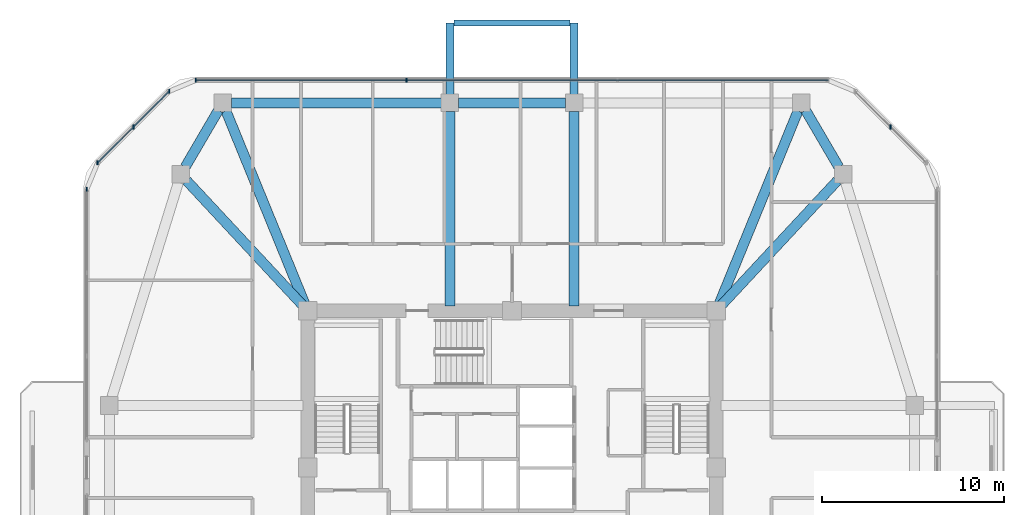
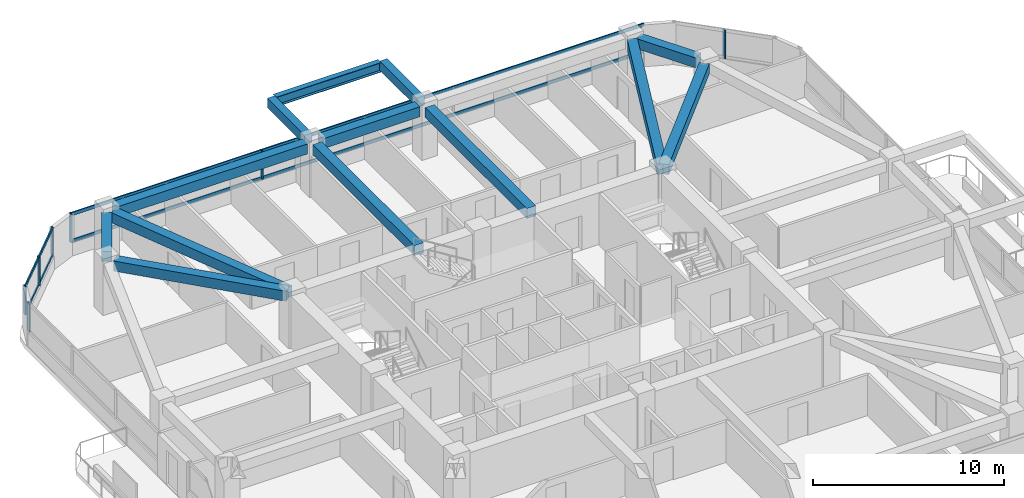
# One storey, part 5 of 13: 13 beams, 11 members, 4 elements without a shape of their own.
"""IFC4 building model written with IfcOpenShell, lengths in metres."""

from ifc_helpers import new_model, si_unit, derived_unit, direction, frame, origin, origin_2d, place, context, subcontext, project, spatial, rectangle, i_section, extrude, material, material_profile, profile_set, type_object, element, aggregate, save


model = new_model("IFC4")

# Units and contexts
model_context = context("Model", 3, precision=1e-05, world=origin(), true_north=direction((0.0, 1.0)))
body_context = subcontext(model_context, "Body", "Model", "MODEL_VIEW")
ifc_project = project(units=[si_unit("LENGTHUNIT", "METRE"), si_unit("AREAUNIT", "SQUARE_METRE"), si_unit("VOLUMEUNIT", "CUBIC_METRE"), si_unit("PLANEANGLEUNIT", "RADIAN"), si_unit("MASSUNIT", "GRAM", prefix="KILO"), derived_unit("THERMALTRANSMITTANCEUNIT", [(si_unit("POWERUNIT", "WATT"), 1), (si_unit("LENGTHUNIT", "METRE"), -2), (si_unit("THERMODYNAMICTEMPERATUREUNIT", "KELVIN"), -1)])], contexts=[model_context])

# Site, building, storey
site_placement = place(None, origin())
site = spatial("IfcSite", under=ifc_project, at=site_placement, CompositionType="ELEMENT")
building_placement = place(site_placement, origin())
building = spatial("IfcBuilding", under=site, at=building_placement, Name="Koralith Skygarden Medical Center", CompositionType="ELEMENT")
storey_placement = place(building_placement, frame((0.0, 0.0, 156.419921875)))
storey = spatial("IfcBuildingStorey", under=building, at=storey_placement, Name="L40", CompositionType="ELEMENT", Elevation=156.419921875)

# Curtain wall, member
ifc_material_1 = material(Name="Clear Laminated Glass", Category="glass")
curtain_wall_type = type_object("IfcCurtainWallType", Name="CW-4 Zone 3 Waist High-Wind Curtain Wall", PredefinedType="NOTDEFINED", material=ifc_material_1)
curtain_wall_1_placement = place(storey_placement, origin())
curtain_wall_1 = element("IfcCurtainWall", 1, at=curtain_wall_1_placement, inside=storey, type_object=curtain_wall_type, Name="Curtain Wall CW-L40-NE", PredefinedType="NOTDEFINED")
ifc_material_2 = material(Name="Aluminium 6063-T6", Category="aluminium")
ifc_material_profile_1 = material_profile(ifc_material_2, rectangle(XDim=0.076904296875, YDim=0.22998046875, at=origin_2d()), Name="MUL77X230")
ifc_profile_set_1 = profile_set([ifc_material_profile_1], Name="Aluminium 6063-T6")
member_type_1 = type_object("IfcMemberType", Name="CW-4 Extruded Mullion 77x230", PredefinedType="MULLION", material=ifc_profile_set_1)
member_1_placement = place(storey_placement, frame((57.741943359375, 44.556884765625, 0.85009765625), z_axis=(0.0, 0.0, 1.0), x_axis=(1.0, 0.0, 0.0)))
member_1 = element("IfcMember", 2, at=member_1_placement, type_object=member_type_1, Name="CW-L40-NE Mullion 2", PredefinedType="MULLION", context=body_context, shape_type="SweptSolid", body=[
    extrude(rectangle(XDim=0.076904296875, YDim=0.22998046875, at=origin_2d()), origin(), (0.0, 0.0, 1.0), 1.820068359375),
])
aggregate(curtain_wall_1, [member_1])

# Curtain wall, members
curtain_wall_2_placement = place(storey_placement, origin())
curtain_wall_2 = element("IfcCurtainWall", 3, at=curtain_wall_2_placement, inside=storey, type_object=curtain_wall_type, Name="Curtain Wall CW-L40-N", PredefinedType="NOTDEFINED")
member_2_placement = place(storey_placement, frame((31.22412109375, 47.1201171875, 0.85009765625), z_axis=(0.0, 0.0, 1.0), x_axis=(1.0, 0.0, 0.0)))
member_2 = element("IfcMember", 4, at=member_2_placement, type_object=member_type_1, Name="CW-L40-N Mullion 3", PredefinedType="MULLION", context=body_context, shape_type="SweptSolid", body=[
    extrude(rectangle(XDim=0.076904296875, YDim=0.22998046875, at=origin_2d()), origin(), (0.0, 0.0, 1.0), 1.820068359375),
])
member_3_placement = place(storey_placement, frame((19.6708984375, 47.1201171875, 0.85009765625), z_axis=(0.0, 0.0, 1.0), x_axis=(1.0, 0.0, 0.0)))
member_3 = element("IfcMember", 5, at=member_3_placement, type_object=member_type_1, Name="CW-L40-N Mullion 4", PredefinedType="MULLION", context=body_context, shape_type="SweptSolid", body=[
    extrude(rectangle(XDim=0.076904296875, YDim=0.22998046875, at=origin_2d()), origin(), (0.0, 0.0, 1.0), 1.820068359375),
])

curtain_wall_3_placement = place(storey_placement, origin())
curtain_wall_3 = element("IfcCurtainWall", 6, at=curtain_wall_3_placement, inside=storey, type_object=curtain_wall_type, Name="Curtain Wall CW-L40-NW", PredefinedType="NOTDEFINED")
member_4_placement = place(storey_placement, frame((18.219970703125, 46.51904296875, 0.85009765625), z_axis=(0.0, 0.0, 1.0), x_axis=(1.0, 0.0, 0.0)))
member_4 = element("IfcMember", 7, at=member_4_placement, type_object=member_type_1, Name="CW-L40-NW Mullion 1", PredefinedType="MULLION", context=body_context, shape_type="SweptSolid", body=[
    extrude(rectangle(XDim=0.076904296875, YDim=0.22998046875, at=origin_2d()), origin(), (0.0, 0.0, 1.0), 1.820068359375),
])
member_5_placement = place(storey_placement, frame((16.258056640625, 44.556884765625, 0.85009765625), z_axis=(0.0, 0.0, 1.0), x_axis=(1.0, 0.0, 0.0)))
member_5 = element("IfcMember", 8, at=member_5_placement, type_object=member_type_1, Name="CW-L40-NW Mullion 2", PredefinedType="MULLION", context=body_context, shape_type="SweptSolid", body=[
    extrude(rectangle(XDim=0.076904296875, YDim=0.22998046875, at=origin_2d()), origin(), (0.0, 0.0, 1.0), 1.820068359375),
])
member_6_placement = place(storey_placement, frame((14.297119140625, 42.595947265625, 0.85009765625), z_axis=(0.0, 0.0, 1.0), x_axis=(1.0, 0.0, 0.0)))
member_6 = element("IfcMember", 9, at=member_6_placement, type_object=member_type_1, Name="CW-L40-NW Mullion 3", PredefinedType="MULLION", context=body_context, shape_type="SweptSolid", body=[
    extrude(rectangle(XDim=0.076904296875, YDim=0.22998046875, at=origin_2d()), origin(), (0.0, 0.0, 1.0), 1.820068359375),
])

# Curtain wall, member
curtain_wall_4_placement = place(storey_placement, origin())
curtain_wall_4 = element("IfcCurtainWall", 10, at=curtain_wall_4_placement, inside=storey, type_object=curtain_wall_type, Name="Curtain Wall CW-L40-W-L", PredefinedType="NOTDEFINED")
member_7_placement = place(storey_placement, frame((13.696044921875, 41.14501953125, 0.85009765625), z_axis=(0.0, 0.0, 1.0), x_axis=(1.0, 0.0, 0.0)))
member_7 = element("IfcMember", 11, at=member_7_placement, type_object=member_type_1, Name="CW-L40-W-L Mullion 1", PredefinedType="MULLION", context=body_context, shape_type="SweptSolid", body=[
    extrude(rectangle(XDim=0.076904296875, YDim=0.22998046875, at=origin_2d()), origin(), (0.0, 0.0, 1.0), 1.820068359375),
])
aggregate(curtain_wall_4, [member_7])

# Member
ifc_material_profile_2 = material_profile(ifc_material_2, rectangle(XDim=0.072021484375, YDim=0.20703125, at=origin_2d()), Name="TRN72X207")
ifc_profile_set_2 = profile_set([ifc_material_profile_2], Name="Aluminium 6063-T6")
member_type_2 = type_object("IfcMemberType", Name="CW-4 Thermal Transom 72x207", PredefinedType="USERDEFINED", material=ifc_profile_set_2)
member_8_placement = place(storey_placement, frame((54.3291015625, 47.1201171875, 0.900146484375), z_axis=(-1.0, 0.0, 0.0), x_axis=(0.0, -1.0, 0.0)))
member_8 = element("IfcMember", 12, at=member_8_placement, type_object=member_type_2, Name="CW-L40-N Transom 1", ObjectType="TRANSOM", PredefinedType="USERDEFINED", context=body_context, shape_type="SweptSolid", body=[
    extrude(rectangle(XDim=0.072021484375, YDim=0.20703125, at=origin_2d()), origin(), (0.0, 0.0, 1.0), 34.658203125),
])

member_9_placement = place(storey_placement, frame((54.3291015625, 47.1201171875, 2.6201171875), z_axis=(-1.0, 0.0, 0.0), x_axis=(0.0, -1.0, 0.0)))
member_9 = element("IfcMember", 13, at=member_9_placement, type_object=member_type_2, Name="CW-L40-N Transom 2", ObjectType="TRANSOM", PredefinedType="USERDEFINED", context=body_context, shape_type="SweptSolid", body=[
    extrude(rectangle(XDim=0.072021484375, YDim=0.20703125, at=origin_2d()), origin(), (0.0, 0.0, 1.0), 34.658203125),
])

aggregate(curtain_wall_2, [member_2, member_3, member_8, member_9])

member_10_placement = place(storey_placement, frame((18.219970703125, 46.51904296875, 0.900146484375), z_axis=(-0.707084777957, -0.707128783731, 0.0), x_axis=(0.707128783731, -0.707084777957, 0.0)))
member_10 = element("IfcMember", 14, at=member_10_placement, type_object=member_type_2, Name="CW-L40-NW Transom 1", ObjectType="TRANSOM", PredefinedType="USERDEFINED", context=body_context, shape_type="SweptSolid", body=[
    extrude(rectangle(XDim=0.072021484375, YDim=0.20703125, at=origin_2d()), origin(), (0.0, 0.0, 1.0), 5.5478515625),
])

member_11_placement = place(storey_placement, frame((18.219970703125, 46.51904296875, 2.6201171875), z_axis=(-0.707084777957, -0.707128783731, 0.0), x_axis=(0.707128783731, -0.707084777957, 0.0)))
member_11 = element("IfcMember", 15, at=member_11_placement, type_object=member_type_2, Name="CW-L40-NW Transom 2", ObjectType="TRANSOM", PredefinedType="USERDEFINED", context=body_context, shape_type="SweptSolid", body=[
    extrude(rectangle(XDim=0.072021484375, YDim=0.20703125, at=origin_2d()), origin(), (0.0, 0.0, 1.0), 5.5478515625),
])

aggregate(curtain_wall_3, [member_4, member_5, member_6, member_10, member_11])

# Beams
ifc_material_3 = material(Name="Steel ASTM A992 Grade 50", Category="steel")
ifc_material_profile_3 = material_profile(ifc_material_3, i_section(OverallWidth=0.326904296875, OverallDepth=0.6220703125, WebThickness=0.015380859375, FlangeThickness=0.0244140625, at=origin_2d()), Name="W24X131")
ifc_profile_set_3 = profile_set([ifc_material_profile_3], Name="Steel ASTM A992 Grade 50")
beam_type_1 = type_object("IfcBeamType", Name="Cantilever Tie Beam W24X131", PredefinedType="BEAM", material=ifc_profile_set_3)
beam_1_placement = place(storey_placement, frame((33.820068359375, 50.260009765625, 3.029052734375), z_axis=(1.0, 0.0, 0.0), x_axis=(0.0, 1.0, 0.0)))
element("IfcBeam", 16, at=beam_1_placement, inside=storey, type_object=beam_type_1, Name="L41 N Balcony Tip Tie Beam", PredefinedType="BEAM", context=body_context, shape_type="SweptSolid", body=[
    extrude(i_section(OverallWidth=0.326904296875, OverallDepth=0.6220703125, WebThickness=0.015380859375, FlangeThickness=0.0244140625, at=origin_2d()), origin(), (0.0, 0.0, 1.0), 6.35986328125),
])
ifc_material_4 = material(Name="Concrete C45/55", Category="concrete")
ifc_material_profile_4 = material_profile(ifc_material_4, rectangle(XDim=0.449951171875, YDim=0.60009765625, at=origin_2d()), Name="RCB450X600")
ifc_profile_set_4 = profile_set([ifc_material_profile_4], Name="Concrete C45/55")
beam_type_2 = type_object("IfcBeamType", Name="Planted Balcony Cantilever Beam RCB450X600", PredefinedType="BEAM", material=ifc_profile_set_4)
for number, where, z_axis, x_axis, name in (
    (17, (33.60009765625, 46.340087890625, 3.0400390625), (0.0, 1.0, 0.0), (-1.0, 0.0, 0.0), "L41 N Balcony Cantilever Beam A"),
    (18, (40.39990234375, 46.340087890625, 3.0400390625), (0.0, 1.0, 0.0), (-1.0, 0.0, 0.0), "L41 N Balcony Cantilever Beam B"),
):
    element("IfcBeam", number, at=place(storey_placement, frame(where, z_axis=z_axis, x_axis=x_axis)), inside=storey, type_object=beam_type_2, Name=name, PredefinedType="BEAM", context=body_context, shape_type="SweptSolid", body=[
        extrude(rectangle(XDim=0.449951171875, YDim=0.60009765625, at=origin_2d()), origin(), (0.0, 0.0, 1.0), 3.919921875),
    ])
ifc_material_profile_5 = material_profile(ifc_material_4, rectangle(XDim=0.550048828125, YDim=0.639892578125, at=origin_2d()), Name="RCB550X640")
ifc_profile_set_5 = profile_set([ifc_material_profile_5], Name="Concrete C45/55")
beam_type_3 = type_object("IfcBeamType", Name="Radial Collector Beam RCB550X640", PredefinedType="BEAM", material=ifc_profile_set_5)
beam_2_placement = place(storey_placement, frame((48.3701171875, 34.68310546875, 3.0), z_axis=(0.681369011591, 0.731940072713, 0.0), x_axis=(-0.731940072713, 0.681369011591, 0.0)))
element("IfcBeam", 19, at=beam_2_placement, inside=storey, type_object=beam_type_3, Name="L40 Radial Collector Beam RB-10", PredefinedType="BEAM", context=body_context, shape_type="SweptSolid", body=[
    extrude(rectangle(XDim=0.550048828125, YDim=0.639892578125, at=origin_2d()), origin(), (0.0, 0.0, 1.0), 9.471923828125),
])
beam_3_placement = place(storey_placement, frame((48.294921875, 34.73095703125, 3.0), z_axis=(0.378344544364, 0.92566484526, 0.0), x_axis=(-0.92566484526, 0.378344544364, 0.0)))
element("IfcBeam", 20, at=beam_3_placement, inside=storey, type_object=beam_type_3, Name="L40 Radial Collector Beam RB-11", PredefinedType="BEAM", context=body_context, shape_type="SweptSolid", body=[
    extrude(rectangle(XDim=0.550048828125, YDim=0.639892578125, at=origin_2d()), origin(), (0.0, 0.0, 1.0), 11.574462890625),
])
for number, where, z_axis, x_axis, name in (
    (21, (40.39990234375, 34.75, 3.0), (0.0, 1.0, 0.0), (-1.0, 0.0, 0.0), "L40 Radial Collector Beam RB-12"),
    (22, (33.60009765625, 34.75, 3.0), (0.0, 1.0, 0.0), (-1.0, 0.0, 0.0), "L40 Radial Collector Beam RB-13"),
):
    element("IfcBeam", number, at=place(storey_placement, frame(where, z_axis=z_axis, x_axis=x_axis)), inside=storey, type_object=beam_type_3, Name=name, PredefinedType="BEAM", context=body_context, shape_type="SweptSolid", body=[
        extrude(rectangle(XDim=0.550048828125, YDim=0.639892578125, at=origin_2d()), origin(), (0.0, 0.0, 1.0), 10.659912109375),
    ])
beam_4_placement = place(storey_placement, frame((25.705078125, 34.73095703125, 3.0), z_axis=(-0.378344544364, 0.92566484526, 0.0), x_axis=(-0.92566484526, -0.378344544364, 0.0)))
element("IfcBeam", 23, at=beam_4_placement, inside=storey, type_object=beam_type_3, Name="L40 Radial Collector Beam RB-14", PredefinedType="BEAM", context=body_context, shape_type="SweptSolid", body=[
    extrude(rectangle(XDim=0.550048828125, YDim=0.639892578125, at=origin_2d()), origin(), (0.0, 0.0, 1.0), 11.574462890625),
])
beam_5_placement = place(storey_placement, frame((25.6298828125, 34.68310546875, 3.0), z_axis=(-0.681369011591, 0.731940072713, 0.0), x_axis=(-0.731940072713, -0.681369011591, 0.0)))
element("IfcBeam", 24, at=beam_5_placement, inside=storey, type_object=beam_type_3, Name="L40 Radial Collector Beam RB-15", PredefinedType="BEAM", context=body_context, shape_type="SweptSolid", body=[
    extrude(rectangle(XDim=0.550048828125, YDim=0.639892578125, at=origin_2d()), origin(), (0.0, 0.0, 1.0), 9.471923828125),
])
ifc_material_profile_6 = material_profile(ifc_material_4, rectangle(XDim=0.550048828125, YDim=0.639892578125, at=origin_2d()), Name="RCB550X640")
ifc_profile_set_6 = profile_set([ifc_material_profile_6], Name="Concrete C45/55")
beam_type_4 = type_object("IfcBeamType", Name="Zone 2-3 Spandrel Beam RCB550X640", PredefinedType="SPANDREL", material=ifc_profile_set_6)
beam_6_placement = place(storey_placement, frame((54.906982421875, 42.365966796875, 3.0), z_axis=(-0.504861391295, 0.863200426077, 0.0), x_axis=(-0.863200426077, -0.504861391295, 0.0)))
element("IfcBeam", 25, at=beam_6_placement, inside=storey, type_object=beam_type_4, Name="L40 Perimeter Spandrel Beam SP-10", PredefinedType="SPANDREL", context=body_context, shape_type="SweptSolid", body=[
    extrude(rectangle(XDim=0.550048828125, YDim=0.639892578125, at=origin_2d()), origin(), (0.0, 0.0, 1.0), 3.600830078125),
])
beam_7_placement = place(storey_placement, frame((39.929931640625, 45.8798828125, 3.0), z_axis=(-1.0, 0.0, 0.0), x_axis=(0.0, -1.0, 0.0)))
element("IfcBeam", 26, at=beam_7_placement, inside=storey, type_object=beam_type_4, Name="L40 Perimeter Spandrel Beam SP-12", PredefinedType="SPANDREL", context=body_context, shape_type="SweptSolid", body=[
    extrude(rectangle(XDim=0.550048828125, YDim=0.639892578125, at=origin_2d()), origin(), (0.0, 0.0, 1.0), 5.85986328125),
])
beam_8_placement = place(storey_placement, frame((33.1298828125, 45.8798828125, 3.0), z_axis=(-1.0, 0.0, 0.0), x_axis=(0.0, -1.0, 0.0)))
element("IfcBeam", 27, at=beam_8_placement, inside=storey, type_object=beam_type_4, Name="L40 Perimeter Spandrel Beam SP-13", PredefinedType="SPANDREL", context=body_context, shape_type="SweptSolid", body=[
    extrude(rectangle(XDim=0.550048828125, YDim=0.639892578125, at=origin_2d()), origin(), (0.0, 0.0, 1.0), 11.511962890625),
])
beam_9_placement = place(storey_placement, frame((20.910888671875, 45.47412109375, 3.0), z_axis=(-0.504861391295, -0.863200426077, 0.0), x_axis=(0.863200426077, -0.504861391295, 0.0)))
element("IfcBeam", 28, at=beam_9_placement, inside=storey, type_object=beam_type_4, Name="L40 Perimeter Spandrel Beam SP-14", PredefinedType="SPANDREL", context=body_context, shape_type="SweptSolid", body=[
    extrude(rectangle(XDim=0.550048828125, YDim=0.639892578125, at=origin_2d()), origin(), (0.0, 0.0, 1.0), 3.600830078125),
])

save(model, "model.ifc")
